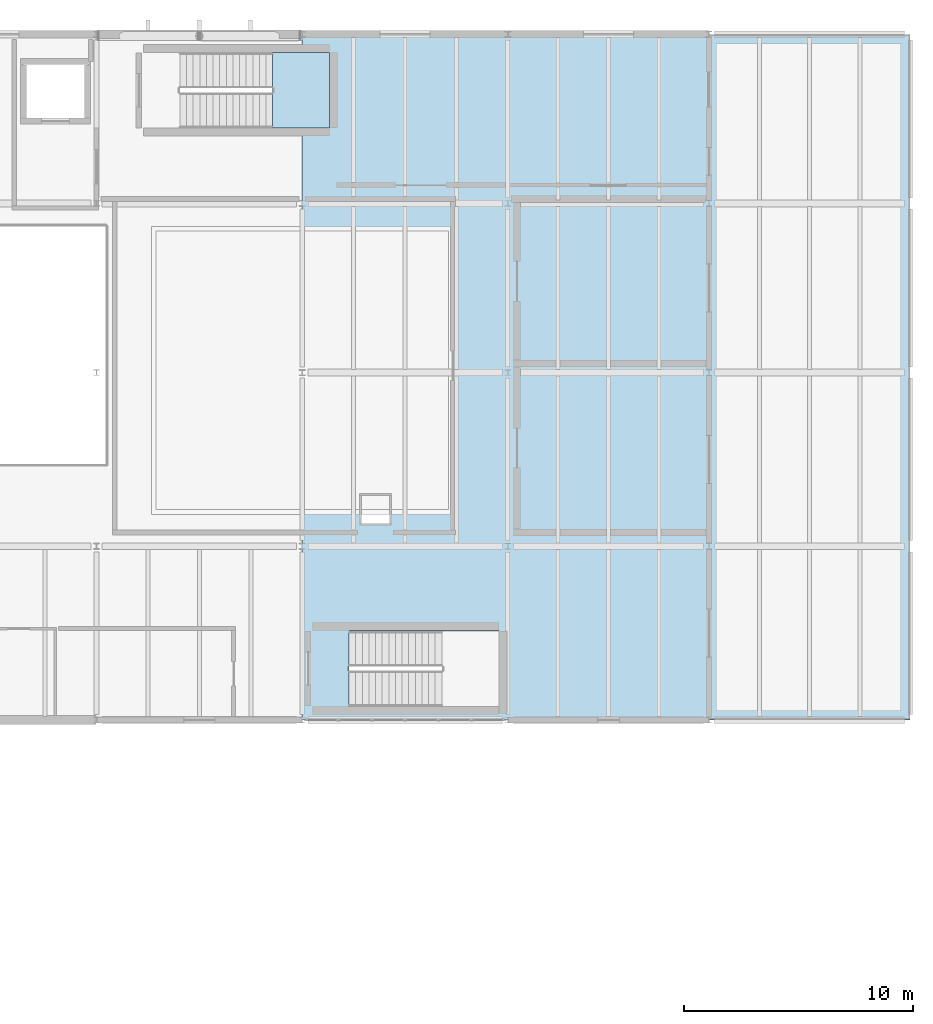
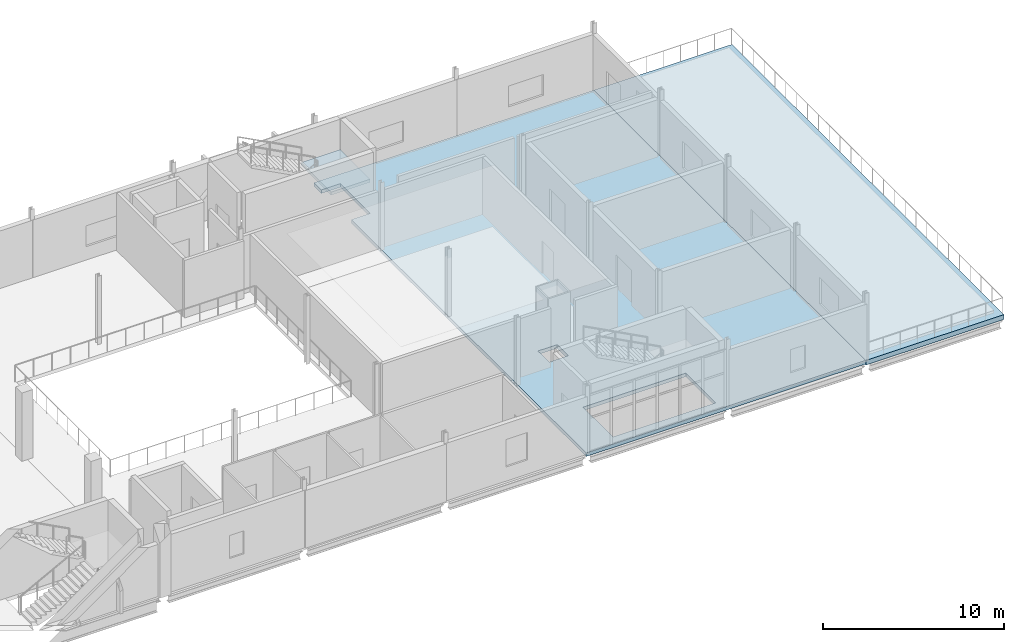
# One storey, part 25 of 37: 3 slabs, 1 element without a shape of its own.
"""IFC4 building model written with IfcOpenShell, lengths in metres."""

from ifc_helpers import new_model, si_unit, direction, frame, origin, place, context, subcontext, project, spatial, polyline, outline, extrude, material, layer, layer_set, type_object, element, aggregate, save


model = new_model("IFC4")

# Units and contexts
model_context = context("Model", 3, precision=1e-05, world=origin(), true_north=direction((0.0, 1.0)))
body_context = subcontext(model_context, "Body", "Model", "MODEL_VIEW")
ifc_project = project(units=[si_unit("LENGTHUNIT", "METRE"), si_unit("AREAUNIT", "SQUARE_METRE"), si_unit("VOLUMEUNIT", "CUBIC_METRE"), si_unit("PLANEANGLEUNIT", "RADIAN"), si_unit("MASSUNIT", "GRAM", prefix="KILO")], contexts=[model_context])

# Site, building, storey
site_placement = place(None, origin())
site = spatial("IfcSite", under=ifc_project, at=site_placement, CompositionType="ELEMENT")
building_placement = place(site_placement, origin())
building = spatial("IfcBuilding", under=site, at=building_placement, Name="Shengluoqiao Park Theatre", CompositionType="ELEMENT")
storey_placement = place(building_placement, frame((0.0, 0.0, 19.199951171875)))
storey = spatial("IfcBuildingStorey", under=building, at=storey_placement, Name="L04", CompositionType="ELEMENT", Elevation=19.199951171875)

# Stair, slab
ifc_material_1 = material(Name="Concrete C40", Category="concrete")
stair_type = type_object("IfcStairType", Name="INT-STR-CORE", PredefinedType="HALF_TURN_STAIR", material=ifc_material_1)
stair_placement = place(storey_placement, origin())
stair = element("IfcStair", 1, at=stair_placement, inside=storey, type_object=stair_type, Name="L04 Backstage and Workshop Escape Stair 06", PredefinedType="HALF_TURN_STAIR")
ifc_layer_1 = layer(ifc_material_1, 0.169921875, Name="Concrete C40")
ifc_layer_set_1 = layer_set([ifc_layer_1], Name="Concrete C40")
slab_type_1 = type_object("IfcSlabType", Name="INT-LND-SL-170", PredefinedType="LANDING", material=ifc_layer_set_1)
slab_1_placement = place(storey_placement, frame((0.0, 0.0, 2.10009765625)))
slab_1 = element("IfcSlab", 2, at=slab_1_placement, type_object=slab_type_1, Name="ST-06 landing 1", PredefinedType="LANDING", context=body_context, shape_type="SweptSolid", body=[
    extrude(outline(polyline([(138.110107421875, 109.89990234375), (140.60009765625, 109.89990234375), (140.60009765625, 113.199951171875), (138.110107421875, 113.199951171875), (138.110107421875, 109.89990234375)])), origin(), (0.0, 0.0, 1.0), 0.199951171875),
])
aggregate(stair, [slab_1])

# Slabs
ifc_material_2 = material(Name="Concrete C35", Category="concrete")
ifc_layer_2 = layer(ifc_material_2, 0.239990234375, Name="Concrete C35")
ifc_layer_set_2 = layer_set([ifc_layer_2], Name="Concrete C35")
slab_type_2 = type_object("IfcSlabType", Name="STR-SLB-FL240", PredefinedType="FLOOR", material=ifc_layer_set_2)
slab_2_placement = place(storey_placement, frame((0.0, 0.0, -0.239990234375)))
element("IfcSlab", 3, at=slab_2_placement, inside=storey, type_object=slab_type_2, Name="Floor Slab L04-V6-NE2", PredefinedType="FLOOR", context=body_context, shape_type="SweptSolid", body=[
    extrude(outline(polyline([(139.39990234375, 114.0), (157.199951171875, 114.0), (157.199951171875, 84.0), (139.39990234375, 84.0), (139.39990234375, 109.89990234375), (140.60009765625, 109.89990234375), (140.60009765625, 113.199951171875), (139.39990234375, 113.199951171875), (139.39990234375, 114.0)]), holes=[polyline([(148.0, 84.60009765625), (148.0, 87.89990234375), (141.4541015625, 87.89990234375), (141.4541015625, 84.60009765625), (148.0, 84.60009765625)]), polyline([(143.219970703125, 93.820068359375), (142.0, 93.820068359375), (142.0, 92.60009765625), (143.219970703125, 92.60009765625), (143.219970703125, 93.820068359375)])]), origin(), (0.0, 0.0, 1.0), 0.239990234375),
])
ifc_layer_3 = layer(ifc_material_1, 0.320068359375, Name="Concrete C40")
ifc_layer_set_3 = layer_set([ifc_layer_3], Name="Concrete C40")
slab_type_3 = type_object("IfcSlabType", Name="STR-SLB-RG320", PredefinedType="ROOF", material=ifc_layer_set_3)
slab_3_placement = place(storey_placement, frame((0.0, 0.0, -0.320068359375)))
element("IfcSlab", 4, at=slab_3_placement, inside=storey, type_object=slab_type_3, Name="V6 East Planted Roof Garden Slab", PredefinedType="ROOF", context=body_context, shape_type="SweptSolid", body=[
    extrude(outline(polyline([(157.199951171875, 84.0), (166.0, 84.0), (166.0, 114.0), (157.199951171875, 114.0), (157.199951171875, 84.0)])), origin(), (0.0, 0.0, 1.0), 0.320068359375),
])

save(model, "model.ifc")
